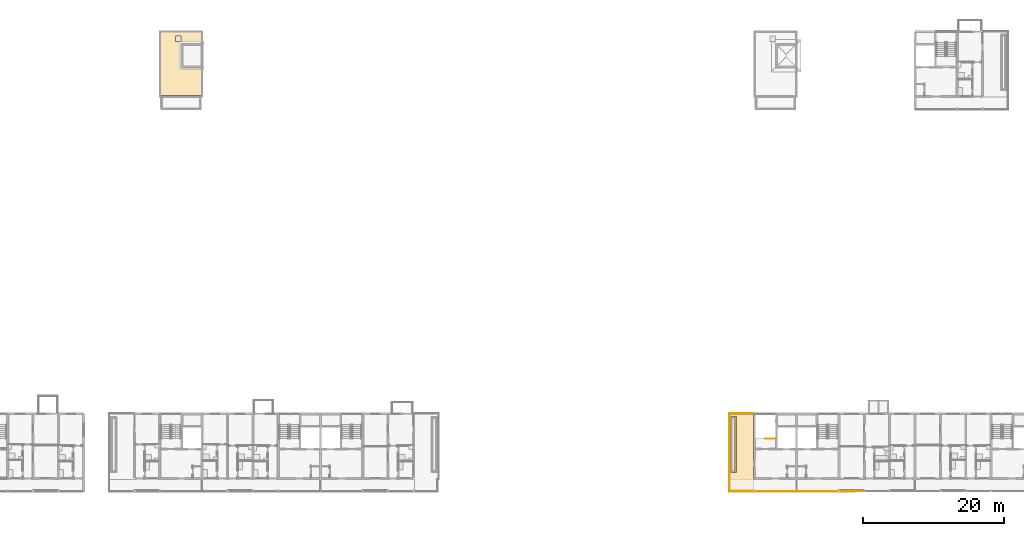
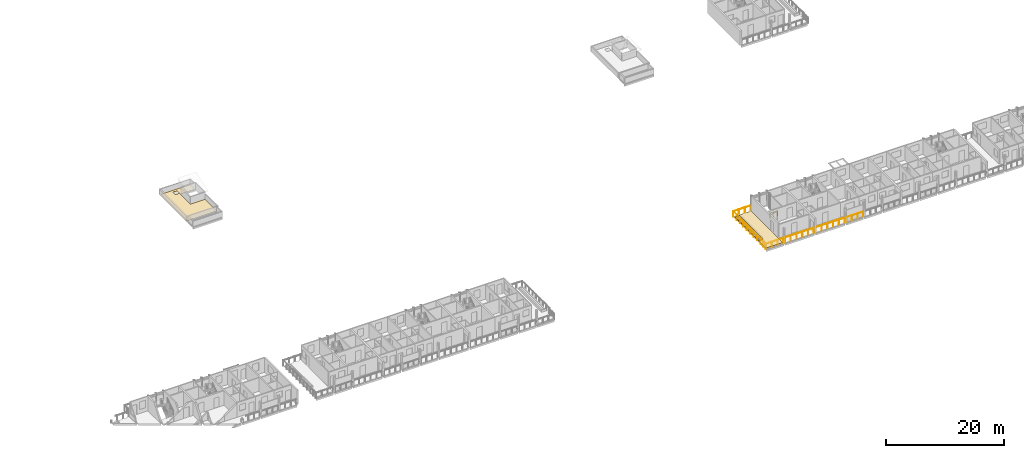
# One storey, part 54 of 64: 7 railings, 4 coverings.
"""IFC4 building model written with IfcOpenShell, lengths in metres."""

from ifc_helpers import new_model, si_unit, direction, frame, origin, origin_2d, place, context, subcontext, project, spatial, polyline, circle, outline, extrude, material, layer, layer_set, type_object, element, save


model = new_model("IFC4")

# Units and contexts
model_context = context("Model", 3, precision=1e-05, world=origin(), true_north=direction((0.0, 1.0)))
body_context = subcontext(model_context, "Body", "Model", "MODEL_VIEW")
ifc_project = project(units=[si_unit("LENGTHUNIT", "METRE"), si_unit("AREAUNIT", "SQUARE_METRE"), si_unit("VOLUMEUNIT", "CUBIC_METRE"), si_unit("PLANEANGLEUNIT", "RADIAN"), si_unit("MASSUNIT", "GRAM", prefix="KILO")], contexts=[model_context])

# Site, building, storey
site_placement = place(None, origin())
site = spatial("IfcSite", under=ifc_project, at=site_placement, CompositionType="ELEMENT")
building_placement = place(site_placement, origin())
building = spatial("IfcBuilding", under=site, at=building_placement, Name="Ridgestep Commons", CompositionType="ELEMENT")
storey_placement = place(building_placement, frame((0.0, 0.0, 33.0)))
storey = spatial("IfcBuildingStorey", under=building, at=storey_placement, Name="L11", CompositionType="ELEMENT", Elevation=33.0)

# Railings
ifc_material_1 = material(Name="Structural steel S355JR", Category="steel")
railing_type_1 = type_object("IfcRailingType", Name="Guard 1100", PredefinedType="GUARDRAIL", material=ifc_material_1)
railing_1_placement = place(storey_placement, frame((154.02099609375, 13.571044921875, 0.0)))
element("IfcRailing", 1, at=railing_1_placement, inside=storey, type_object=railing_type_1, Name="Guard TD-D1R3-GD", PredefinedType="GUARDRAIL", context=body_context, shape_type="SweptSolid", body=[
    extrude(circle(Radius=0.02392578125, at=origin_2d()), frame((0.0, 0.0, 1.076171875), z_axis=(0.0, 1.0, 0.0), x_axis=(-1.0, 0.0, 0.0)), (0.0, 0.0, 1.0), 9.303955078125),
    extrude(circle(Radius=0.02392578125, at=origin_2d()), frame((0.0, 9.303955078125, 1.076171875), z_axis=(1.0, 0.0, 0.0), x_axis=(0.0, 1.0, 0.0)), (0.0, 0.0, 1.0), 3.43310546875),
    extrude(circle(Radius=0.02099609375, at=origin_2d()), origin(), (0.0, 0.0, 1.0), 1.052001953125),
    extrude(circle(Radius=0.02099609375, at=origin_2d()), frame((0.0, 1.1630859375, 0.0)), (0.0, 0.0, 1.0), 1.052001953125),
    extrude(circle(Radius=0.02099609375, at=origin_2d()), frame((0.0, 2.325927734375, 0.0)), (0.0, 0.0, 1.0), 1.052001953125),
    extrude(circle(Radius=0.02099609375, at=origin_2d()), frame((0.0, 3.489013671875, 0.0)), (0.0, 0.0, 1.0), 1.052001953125),
    extrude(circle(Radius=0.02099609375, at=origin_2d()), frame((0.0, 4.65185546875, 0.0)), (0.0, 0.0, 1.0), 1.052001953125),
    extrude(circle(Radius=0.02099609375, at=origin_2d()), frame((0.0, 5.81494140625, 0.0)), (0.0, 0.0, 1.0), 1.052001953125),
    extrude(circle(Radius=0.02099609375, at=origin_2d()), frame((0.0, 6.97802734375, 0.0)), (0.0, 0.0, 1.0), 1.052001953125),
    extrude(circle(Radius=0.02099609375, at=origin_2d()), frame((0.0, 8.140869140625, 0.0)), (0.0, 0.0, 1.0), 1.052001953125),
    extrude(circle(Radius=0.02099609375, at=origin_2d()), frame((0.0, 9.303955078125, 0.0)), (0.0, 0.0, 1.0), 1.052001953125),
    extrude(circle(Radius=0.02099609375, at=origin_2d()), frame((1.144287109375, 9.303955078125, 0.0)), (0.0, 0.0, 1.0), 1.052001953125),
    extrude(circle(Radius=0.02099609375, at=origin_2d()), frame((2.288818359375, 9.303955078125, 0.0)), (0.0, 0.0, 1.0), 1.052001953125),
    extrude(circle(Radius=0.02099609375, at=origin_2d()), frame((3.43310546875, 9.303955078125, 0.0)), (0.0, 0.0, 1.0), 1.052001953125),
])
railing_2_placement = place(storey_placement, frame((154.083984375, 11.800048828125, 0.0)))
element("IfcRailing", 2, at=railing_2_placement, inside=storey, type_object=railing_type_1, Name="Gallery guard D 11.1", PredefinedType="GUARDRAIL", context=body_context, shape_type="SweptSolid", body=[
    extrude(circle(Radius=0.02392578125, at=origin_2d()), frame((0.0, 0.0, 1.076171875), z_axis=(1.0, 0.0, 0.0), x_axis=(0.0, 1.0, 0.0)), (0.0, 0.0, 1.0), 3.3701171875),
    extrude(circle(Radius=0.02099609375, at=origin_2d()), origin(), (0.0, 0.0, 1.0), 1.052001953125),
    extrude(circle(Radius=0.02099609375, at=origin_2d()), frame((1.123291015625, 0.0, 0.0)), (0.0, 0.0, 1.0), 1.052001953125),
    extrude(circle(Radius=0.02099609375, at=origin_2d()), frame((2.246826171875, 0.0, 0.0)), (0.0, 0.0, 1.0), 1.052001953125),
    extrude(circle(Radius=0.02099609375, at=origin_2d()), frame((3.3701171875, 0.0, 0.0)), (0.0, 0.0, 1.0), 1.052001953125),
])
railing_3_placement = place(storey_placement, frame((154.02099609375, 11.800048828125, 0.0)))
element("IfcRailing", 3, at=railing_3_placement, inside=storey, type_object=railing_type_1, Name="Gallery end guard D 11.1W", PredefinedType="GUARDRAIL", context=body_context, shape_type="SweptSolid", body=[
    extrude(circle(Radius=0.02392578125, at=origin_2d()), frame((0.0, 0.0, 1.076171875), z_axis=(0.0, 1.0, 0.0), x_axis=(-1.0, 0.0, 0.0)), (0.0, 0.0, 1.0), 1.72900390625),
    extrude(circle(Radius=0.02099609375, at=origin_2d()), origin(), (0.0, 0.0, 1.0), 1.052001953125),
    extrude(circle(Radius=0.02099609375, at=origin_2d()), frame((0.0, 0.864501953125, 0.0)), (0.0, 0.0, 1.0), 1.052001953125),
    extrude(circle(Radius=0.02099609375, at=origin_2d()), frame((0.0, 1.72900390625, 0.0)), (0.0, 0.0, 1.0), 1.052001953125),
])
railing_4_placement = place(storey_placement, frame((157.74609375, 11.800048828125, 0.0)))
element("IfcRailing", 4, at=railing_4_placement, inside=storey, type_object=railing_type_1, Name="Gallery guard D 11.2", PredefinedType="GUARDRAIL", context=body_context, shape_type="SweptSolid", body=[
    extrude(circle(Radius=0.02392578125, at=origin_2d()), frame((0.0, 0.0, 1.076171875), z_axis=(1.0, 0.0, 0.0), x_axis=(0.0, 1.0, 0.0)), (0.0, 0.0, 1.0), 5.682861328125),
    extrude(circle(Radius=0.02099609375, at=origin_2d()), origin(), (0.0, 0.0, 1.0), 1.052001953125),
    extrude(circle(Radius=0.02099609375, at=origin_2d()), frame((1.136474609375, 0.0, 0.0)), (0.0, 0.0, 1.0), 1.052001953125),
    extrude(circle(Radius=0.02099609375, at=origin_2d()), frame((2.273193359375, 0.0, 0.0)), (0.0, 0.0, 1.0), 1.052001953125),
    extrude(circle(Radius=0.02099609375, at=origin_2d()), frame((3.40966796875, 0.0, 0.0)), (0.0, 0.0, 1.0), 1.052001953125),
    extrude(circle(Radius=0.02099609375, at=origin_2d()), frame((4.54638671875, 0.0, 0.0)), (0.0, 0.0, 1.0), 1.052001953125),
    extrude(circle(Radius=0.02099609375, at=origin_2d()), frame((5.682861328125, 0.0, 0.0)), (0.0, 0.0, 1.0), 1.052001953125),
])
railing_5_placement = place(storey_placement, frame((163.77099609375, 11.800048828125, 0.0)))
element("IfcRailing", 5, at=railing_5_placement, inside=storey, type_object=railing_type_1, Name="Gallery guard D 11.3", PredefinedType="GUARDRAIL", context=body_context, shape_type="SweptSolid", body=[
    extrude(circle(Radius=0.02392578125, at=origin_2d()), frame((0.0, 0.0, 1.076171875), z_axis=(1.0, 0.0, 0.0), x_axis=(0.0, 1.0, 0.0)), (0.0, 0.0, 1.0), 5.68310546875),
    extrude(circle(Radius=0.02099609375, at=origin_2d()), origin(), (0.0, 0.0, 1.0), 1.052001953125),
    extrude(circle(Radius=0.02099609375, at=origin_2d()), frame((1.13671875, 0.0, 0.0)), (0.0, 0.0, 1.0), 1.052001953125),
    extrude(circle(Radius=0.02099609375, at=origin_2d()), frame((2.273193359375, 0.0, 0.0)), (0.0, 0.0, 1.0), 1.052001953125),
    extrude(circle(Radius=0.02099609375, at=origin_2d()), frame((3.409912109375, 0.0, 0.0)), (0.0, 0.0, 1.0), 1.052001953125),
    extrude(circle(Radius=0.02099609375, at=origin_2d()), frame((4.54638671875, 0.0, 0.0)), (0.0, 0.0, 1.0), 1.052001953125),
    extrude(circle(Radius=0.02099609375, at=origin_2d()), frame((5.68310546875, 0.0, 0.0)), (0.0, 0.0, 1.0), 1.052001953125),
])
railing_6_placement = place(storey_placement, frame((169.74609375, 11.800048828125, 0.0)))
element("IfcRailing", 6, at=railing_6_placement, inside=storey, type_object=railing_type_1, Name="Gallery guard D 11.4", PredefinedType="GUARDRAIL", context=body_context, shape_type="SweptSolid", body=[
    extrude(circle(Radius=0.02392578125, at=origin_2d()), frame((0.0, 0.0, 1.076171875), z_axis=(1.0, 0.0, 0.0), x_axis=(0.0, 1.0, 0.0)), (0.0, 0.0, 1.0), 3.307861328125),
    extrude(circle(Radius=0.02099609375, at=origin_2d()), origin(), (0.0, 0.0, 1.0), 1.052001953125),
    extrude(circle(Radius=0.02099609375, at=origin_2d()), frame((1.1025390625, 0.0, 0.0)), (0.0, 0.0, 1.0), 1.052001953125),
    extrude(circle(Radius=0.02099609375, at=origin_2d()), frame((2.205322265625, 0.0, 0.0)), (0.0, 0.0, 1.0), 1.052001953125),
    extrude(circle(Radius=0.02099609375, at=origin_2d()), frame((3.307861328125, 0.0, 0.0)), (0.0, 0.0, 1.0), 1.052001953125),
])

# Coverings
ifc_material_2 = material(Name="Planting soil")
ifc_layer_1 = layer(ifc_material_2, 0.35009765625)
ifc_layer_set_1 = layer_set([ifc_layer_1], Name="Planting soil 350")
covering_type_1 = type_object("IfcCoveringType", Name="Planting soil 350", PredefinedType="FLOORING", material=ifc_layer_set_1)
covering_1_placement = place(storey_placement, frame((0.0, 0.0, 0.010009765625)))
element("IfcCovering", 7, at=covering_1_placement, inside=storey, type_object=covering_type_1, Name="Planting soil D1R3", PredefinedType="FLOORING", context=body_context, shape_type="SweptSolid", body=[
    extrude(outline(polyline([(154.449951171875, 14.75), (154.85009765625, 14.75), (154.85009765625, 22.25), (154.449951171875, 22.25), (154.449951171875, 14.75)])), origin(), (0.0, 0.0, 1.0), 0.35009765625),
])
ifc_material_3 = material(Name="Bitumen membrane, two layer")
ifc_layer_2 = layer(ifc_material_3, 0.011962890625)
ifc_layer_set_2 = layer_set([ifc_layer_2], Name="Roof membrane 12")
covering_type_2 = type_object("IfcCoveringType", Name="Roof membrane 12", PredefinedType="ROOFING", material=ifc_layer_set_2)
covering_2_placement = place(storey_placement, origin())
element("IfcCovering", 8, at=covering_2_placement, inside=storey, type_object=covering_type_2, Name="Roof membrane B4C", PredefinedType="ROOFING", context=body_context, shape_type="SweptSolid", body=[
    extrude(outline(polyline([(73.300048828125, 68.0), (73.300048828125, 77.02490234375), (79.10009765625, 77.02490234375), (79.10009765625, 75.39990234375), (76.22509765625, 75.39990234375), (76.22509765625, 72.0), (79.10009765625, 72.0), (79.10009765625, 68.0), (73.300048828125, 68.0)]), holes=[polyline([(76.22509765625, 76.5), (75.425048828125, 76.5), (75.425048828125, 75.699951171875), (76.22509765625, 75.699951171875), (76.22509765625, 76.5)])]), origin(), (0.0, 0.0, 1.0), 0.011962890625),
])

# Railing
ifc_material_4 = material(Name="Structural steel S355JR", Category="steel")
railing_type_2 = type_object("IfcRailingType", Name="Stair guard 1100", PredefinedType="GUARDRAIL", material=ifc_material_4)
railing_7_placement = place(storey_placement, frame((160.625, 19.300048828125, 0.0)))
element("IfcRailing", 9, at=railing_7_placement, inside=storey, type_object=railing_type_2, Name="L11 D1C top well guard 1", PredefinedType="GUARDRAIL", context=body_context, shape_type="SweptSolid", body=[
    extrude(circle(Radius=0.02392578125, at=origin_2d()), frame((0.0, 0.0, 1.076171875), z_axis=(-1.0, 0.0, 0.0), x_axis=(0.0, -1.0, 0.0)), (0.0, 0.0, 1.0), 1.5),
    extrude(circle(Radius=0.02099609375, at=origin_2d()), origin(), (0.0, 0.0, 1.0), 1.052001953125),
    extrude(circle(Radius=0.02099609375, at=origin_2d()), frame((-0.75, 0.0, 0.0)), (0.0, 0.0, 1.0), 1.052001953125),
    extrude(circle(Radius=0.02099609375, at=origin_2d()), frame((-1.5, 0.0, 0.0)), (0.0, 0.0, 1.0), 1.052001953125),
])

# Coverings
ifc_material_5 = material(Name="Bitumen membrane, two layer")
ifc_layer_3 = layer(ifc_material_5, 0.010009765625)
ifc_layer_set_3 = layer_set([ifc_layer_3], Name="Terrace membrane 10")
covering_type_3 = type_object("IfcCoveringType", Name="Terrace membrane 10", PredefinedType="ROOFING", material=ifc_layer_set_3)
covering_3_placement = place(storey_placement, origin())
element("IfcCovering", 10, at=covering_3_placement, inside=storey, type_object=covering_type_3, Name="Terrace membrane D1R3", PredefinedType="ROOFING", context=body_context, shape_type="SweptSolid", body=[
    extrude(outline(polyline([(157.449951171875, 12.0), (157.449951171875, 22.75), (154.125, 22.75), (154.125, 12.0), (157.449951171875, 12.0)]), holes=[polyline([(155.050048828125, 14.550048828125), (155.050048828125, 22.449951171875), (154.25, 22.449951171875), (154.25, 14.550048828125), (155.050048828125, 14.550048828125)])]), origin(), (0.0, 0.0, 1.0), 0.010009765625),
])
ifc_material_6 = material(Name="Concrete paving slab", Category="concrete")
ifc_layer_4 = layer(ifc_material_6, 0.030029296875)
ifc_layer_set_4 = layer_set([ifc_layer_4], Name="Terrace paving 30")
covering_type_4 = type_object("IfcCoveringType", Name="Terrace paving 30", PredefinedType="FLOORING", material=ifc_layer_set_4)
covering_4_placement = place(storey_placement, frame((0.0, 0.0, 0.010009765625)))
element("IfcCovering", 11, at=covering_4_placement, inside=storey, type_object=covering_type_4, Name="Terrace paving D1R3", PredefinedType="FLOORING", context=body_context, shape_type="SweptSolid", body=[
    extrude(outline(polyline([(157.449951171875, 12.0), (157.449951171875, 22.75), (154.125, 22.75), (154.125, 12.0), (157.449951171875, 12.0)]), holes=[polyline([(155.050048828125, 14.550048828125), (155.050048828125, 22.449951171875), (154.25, 22.449951171875), (154.25, 14.550048828125), (155.050048828125, 14.550048828125)])]), origin(), (0.0, 0.0, 1.0), 0.030029296875),
])

save(model, "model.ifc")
